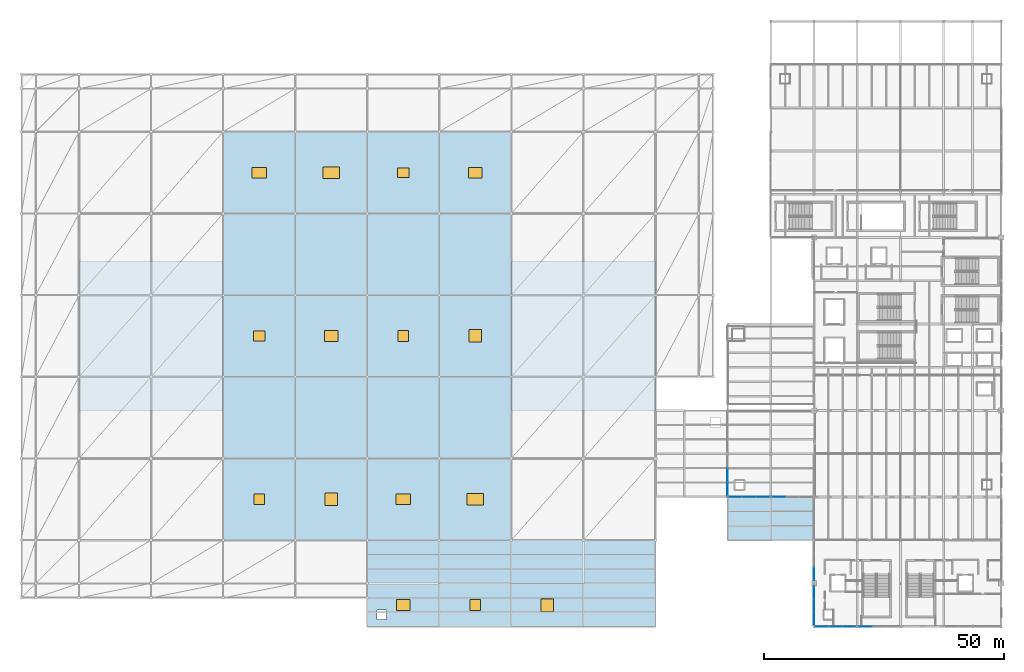
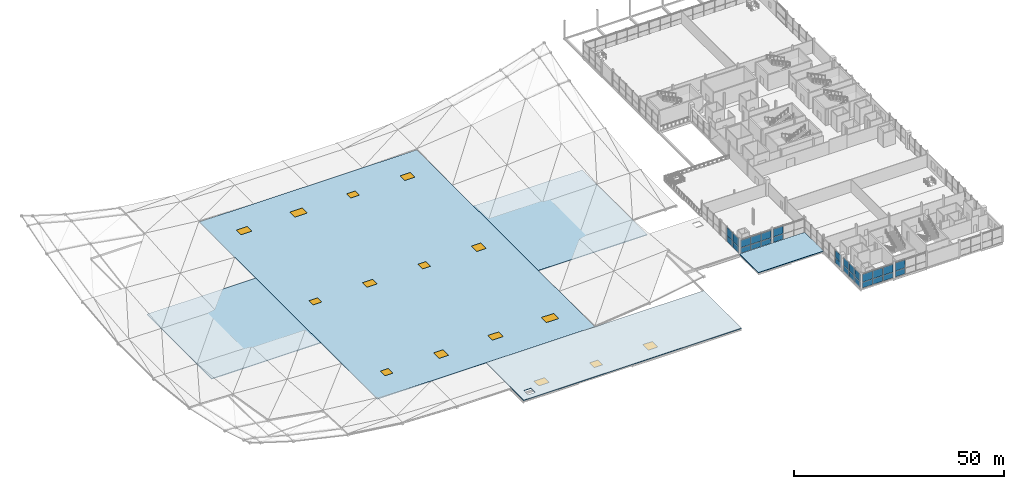
# One storey, part 40 of 69: 28 plates, 15 windows, 5 slabs, 15 openings, 7 elements without a shape of their own.
"""IFC4 building model written with IfcOpenShell, lengths in metres."""

from ifc_helpers import new_model, si_unit, direction, frame, origin, origin_2d, place, context, subcontext, project, spatial, polyline, rectangle, outline, extrude, material, layer, layer_set, type_object, element, fill, aggregate, save


model = new_model("IFC4")

# Units and contexts
model_context = context("Model", 3, precision=1e-05, world=origin(), true_north=direction((0.0, 1.0)))
body_context = subcontext(model_context, "Body", "Model", "MODEL_VIEW")
ifc_project = project(units=[si_unit("LENGTHUNIT", "METRE"), si_unit("AREAUNIT", "SQUARE_METRE"), si_unit("VOLUMEUNIT", "CUBIC_METRE"), si_unit("PLANEANGLEUNIT", "RADIAN"), si_unit("MASSUNIT", "GRAM", prefix="KILO")], contexts=[model_context])

# Site, building, storey
site_placement = place(None, origin())
site = spatial("IfcSite", under=ifc_project, at=site_placement, CompositionType="ELEMENT")
building_placement = place(site_placement, origin())
building = spatial("IfcBuilding", under=site, at=building_placement, Name="Qamarlyn Nura Convention Centre", CompositionType="ELEMENT")
storey_placement = place(building_placement, frame((0.0, 0.0, 15.60009765625)))
storey = spatial("IfcBuildingStorey", under=building, at=storey_placement, Name="L03", CompositionType="ELEMENT", Elevation=15.60009765625)

# Curtain wall, plates
ifc_material_1 = material(Name="Double-silver low-E insulated glass", Category="glass")
ifc_layer_1 = layer(ifc_material_1, 0.179931640625, Name="CW-UNIT-118")
ifc_layer_set_1 = layer_set([ifc_layer_1], Name="Double-silver low-E insulated glass")
curtain_wall_type_1 = type_object("IfcCurtainWallType", Name="CW-UNIT-118", PredefinedType="NOTDEFINED", material=ifc_layer_set_1)
curtain_wall_1_placement = place(storey_placement, origin())
curtain_wall_1 = element("IfcCurtainWall", 1, at=curtain_wall_1_placement, inside=storey, type_object=curtain_wall_type_1, Name="L03 unitised curtain wall STH-1-1", PredefinedType="NOTDEFINED")
ifc_layer_2 = layer(ifc_material_1, 0.028076171875, Name="CWP-VIS-28")
ifc_layer_set_2 = layer_set([ifc_layer_2], Name="Double-silver low-E insulated glass")
plate_type_1 = type_object("IfcPlateType", Name="CWP-VIS-28", PredefinedType="CURTAIN_PANEL", material=ifc_layer_set_2)
plate_1_placement = place(storey_placement, frame((160.352783203125, 0.0, 0.06005859375), z_axis=(0.0, 0.0, 1.0), x_axis=(-1.0, 0.0, 0.0)))
plate_1 = element("IfcPlate", 2, at=plate_1_placement, type_object=plate_type_1, Name="CW118 panel 1.1", PredefinedType="CURTAIN_PANEL", context=body_context, shape_type="SweptSolid", body=[
    extrude(rectangle(XDim=2.775390625, YDim=0.028076171875, at=origin_2d()), origin(), (0.0, 0.0, 1.0), 1.639892578125),
])
plate_2_placement = place(storey_placement, frame((160.352783203125, 0.0, 1.759765625), z_axis=(0.0, 0.0, 1.0), x_axis=(-1.0, 0.0, 0.0)))
plate_2 = element("IfcPlate", 3, at=plate_2_placement, type_object=plate_type_1, Name="CW118 panel 1.2", PredefinedType="CURTAIN_PANEL", context=body_context, shape_type="SweptSolid", body=[
    extrude(rectangle(XDim=2.775390625, YDim=0.028076171875, at=origin_2d()), origin(), (0.0, 0.0, 1.0), 2.299072265625),
])
plate_3_placement = place(storey_placement, frame((157.50244140625, 0.0, 0.06005859375), z_axis=(0.0, 0.0, 1.0), x_axis=(-1.0, 0.0, 0.0)))
plate_3 = element("IfcPlate", 4, at=plate_3_placement, type_object=plate_type_1, Name="CW118 panel 2.1", PredefinedType="CURTAIN_PANEL", context=body_context, shape_type="SweptSolid", body=[
    extrude(rectangle(XDim=2.805419921875, YDim=0.028076171875, at=origin_2d()), origin(), (0.0, 0.0, 1.0), 1.639892578125),
])
plate_4_placement = place(storey_placement, frame((157.50244140625, 0.0, 1.759765625), z_axis=(0.0, 0.0, 1.0), x_axis=(-1.0, 0.0, 0.0)))
plate_4 = element("IfcPlate", 5, at=plate_4_placement, type_object=plate_type_1, Name="CW118 panel 2.2", PredefinedType="CURTAIN_PANEL", context=body_context, shape_type="SweptSolid", body=[
    extrude(rectangle(XDim=2.805419921875, YDim=0.028076171875, at=origin_2d()), origin(), (0.0, 0.0, 1.0), 2.299072265625),
])
plate_5_placement = place(storey_placement, frame((154.652099609375, 0.0, 0.06005859375), z_axis=(0.0, 0.0, 1.0), x_axis=(-1.0, 0.0, 0.0)))
plate_5 = element("IfcPlate", 6, at=plate_5_placement, type_object=plate_type_1, Name="CW118 panel 3.1", PredefinedType="CURTAIN_PANEL", context=body_context, shape_type="SweptSolid", body=[
    extrude(rectangle(XDim=2.775390625, YDim=0.028076171875, at=origin_2d()), origin(), (0.0, 0.0, 1.0), 1.639892578125),
])
plate_6_placement = place(storey_placement, frame((154.652099609375, 0.0, 1.759765625), z_axis=(0.0, 0.0, 1.0), x_axis=(-1.0, 0.0, 0.0)))
plate_6 = element("IfcPlate", 7, at=plate_6_placement, type_object=plate_type_1, Name="CW118 panel 3.2", PredefinedType="CURTAIN_PANEL", context=body_context, shape_type="SweptSolid", body=[
    extrude(rectangle(XDim=2.775390625, YDim=0.028076171875, at=origin_2d()), origin(), (0.0, 0.0, 1.0), 2.299072265625),
])
aggregate(curtain_wall_1, [plate_1, plate_2, plate_3, plate_4, plate_5, plate_6])

ifc_layer_3 = layer(ifc_material_1, 0.179931640625, Name="CW-UNIT-119")
ifc_layer_set_3 = layer_set([ifc_layer_3], Name="Double-silver low-E insulated glass")
curtain_wall_type_2 = type_object("IfcCurtainWallType", Name="CW-UNIT-119", PredefinedType="NOTDEFINED", material=ifc_layer_set_3)
curtain_wall_2_placement = place(storey_placement, origin())
curtain_wall_2 = element("IfcCurtainWall", 8, at=curtain_wall_2_placement, inside=storey, type_object=curtain_wall_type_2, Name="L03 unitised curtain wall STH-2-1", PredefinedType="NOTDEFINED")
plate_7_placement = place(storey_placement, frame((163.652587890625, 0.0, 0.06982421875), z_axis=(0.0, 0.0, 1.0), x_axis=(-1.0, 0.0, 0.0)))
plate_7 = element("IfcPlate", 9, at=plate_7_placement, type_object=plate_type_1, Name="CW119 panel 3.1", PredefinedType="CURTAIN_PANEL", context=body_context, shape_type="SweptSolid", body=[
    extrude(rectangle(XDim=2.76611328125, YDim=0.028076171875, at=origin_2d()), origin(), (0.0, 0.0, 1.0), 1.695068359375),
])
plate_8_placement = place(storey_placement, frame((163.652587890625, 0.0, 1.8349609375), z_axis=(0.0, 0.0, 1.0), x_axis=(-1.0, 0.0, 0.0)))
plate_8 = element("IfcPlate", 10, at=plate_8_placement, type_object=plate_type_1, Name="CW119 panel 3.2", PredefinedType="CURTAIN_PANEL", context=body_context, shape_type="SweptSolid", body=[
    extrude(rectangle(XDim=2.76611328125, YDim=0.028076171875, at=origin_2d()), origin(), (0.0, 0.0, 1.0), 2.3798828125),
])
aggregate(curtain_wall_2, [plate_7, plate_8])

ifc_layer_4 = layer(ifc_material_1, 0.179931640625, Name="CW-UNIT-101")
ifc_layer_set_4 = layer_set([ifc_layer_4], Name="Double-silver low-E insulated glass")
curtain_wall_type_3 = type_object("IfcCurtainWallType", Name="CW-UNIT-101", PredefinedType="NOTDEFINED", material=ifc_layer_set_4)
curtain_wall_3_placement = place(storey_placement, origin())
curtain_wall_3 = element("IfcCurtainWall", 11, at=curtain_wall_3_placement, inside=storey, type_object=curtain_wall_type_3, Name="L03 unitised curtain wall FCW-0-1", PredefinedType="NOTDEFINED")
plate_9_placement = place(storey_placement, frame((153.0, 1.60302734375, 0.06982421875), z_axis=(0.0, 0.0, 1.0), x_axis=(0.0, 1.0, 0.0)))
plate_9 = element("IfcPlate", 12, at=plate_9_placement, type_object=plate_type_1, Name="CW101 panel 1.1", PredefinedType="CURTAIN_PANEL", context=body_context, shape_type="SweptSolid", body=[
    extrude(rectangle(XDim=2.640869140625, YDim=0.028076171875, at=origin_2d()), origin(), (0.0, 0.0, 1.0), 1.56396484375),
])
plate_10_placement = place(storey_placement, frame((153.0, 1.60302734375, 1.7041015625), z_axis=(0.0, 0.0, 1.0), x_axis=(0.0, 1.0, 0.0)))
plate_10 = element("IfcPlate", 13, at=plate_10_placement, type_object=plate_type_1, Name="CW101 panel 1.2", PredefinedType="CURTAIN_PANEL", context=body_context, shape_type="SweptSolid", body=[
    extrude(rectangle(XDim=2.640869140625, YDim=0.028076171875, at=origin_2d()), origin(), (0.0, 0.0, 1.0), 2.199951171875),
])
plate_11_placement = place(storey_placement, frame((153.0, 4.331298828125, 0.06982421875), z_axis=(0.0, 0.0, 1.0), x_axis=(0.0, 1.0, 0.0)))
plate_11 = element("IfcPlate", 14, at=plate_11_placement, type_object=plate_type_1, Name="CW101 panel 2.1", PredefinedType="CURTAIN_PANEL", context=body_context, shape_type="SweptSolid", body=[
    extrude(rectangle(XDim=2.67578125, YDim=0.028076171875, at=origin_2d()), origin(), (0.0, 0.0, 1.0), 1.56396484375),
])
plate_12_placement = place(storey_placement, frame((153.0, 4.331298828125, 1.7041015625), z_axis=(0.0, 0.0, 1.0), x_axis=(0.0, 1.0, 0.0)))
plate_12 = element("IfcPlate", 15, at=plate_12_placement, type_object=plate_type_1, Name="CW101 panel 2.2", PredefinedType="CURTAIN_PANEL", context=body_context, shape_type="SweptSolid", body=[
    extrude(rectangle(XDim=2.67578125, YDim=0.028076171875, at=origin_2d()), origin(), (0.0, 0.0, 1.0), 2.199951171875),
])
plate_13_placement = place(storey_placement, frame((153.0, 7.0595703125, 0.06982421875), z_axis=(0.0, 0.0, 1.0), x_axis=(0.0, 1.0, 0.0)))
plate_13 = element("IfcPlate", 16, at=plate_13_placement, type_object=plate_type_1, Name="CW101 panel 3.1", PredefinedType="CURTAIN_PANEL", context=body_context, shape_type="SweptSolid", body=[
    extrude(rectangle(XDim=2.640869140625, YDim=0.028076171875, at=origin_2d()), origin(), (0.0, 0.0, 1.0), 1.56396484375),
])
plate_14_placement = place(storey_placement, frame((153.0, 7.0595703125, 1.7041015625), z_axis=(0.0, 0.0, 1.0), x_axis=(0.0, 1.0, 0.0)))
plate_14 = element("IfcPlate", 17, at=plate_14_placement, type_object=plate_type_1, Name="CW101 panel 3.2", PredefinedType="CURTAIN_PANEL", context=body_context, shape_type="SweptSolid", body=[
    extrude(rectangle(XDim=2.640869140625, YDim=0.028076171875, at=origin_2d()), origin(), (0.0, 0.0, 1.0), 2.199951171875),
])
aggregate(curtain_wall_3, [plate_9, plate_10, plate_11, plate_12, plate_13, plate_14])

ifc_layer_5 = layer(ifc_material_1, 0.179931640625, Name="CW-UNIT-122")
ifc_layer_set_5 = layer_set([ifc_layer_5], Name="Double-silver low-E insulated glass")
curtain_wall_type_4 = type_object("IfcCurtainWallType", Name="CW-UNIT-122", PredefinedType="NOTDEFINED", material=ifc_layer_set_5)
curtain_wall_4_placement = place(storey_placement, origin())
curtain_wall_4 = element("IfcCurtainWall", 18, at=curtain_wall_4_placement, inside=storey, type_object=curtain_wall_type_4, Name="L03 unitised curtain wall FCW-9-1", PredefinedType="NOTDEFINED")
plate_15_placement = place(storey_placement, frame((153.0, 10.941162109375, 0.06494140625), z_axis=(0.0, 0.0, 1.0), x_axis=(0.0, 1.0, 0.0)))
plate_15 = element("IfcPlate", 19, at=plate_15_placement, type_object=plate_type_1, Name="CW122 panel 1.1", PredefinedType="CURTAIN_PANEL", context=body_context, shape_type="SweptSolid", body=[
    extrude(rectangle(XDim=2.652587890625, YDim=0.028076171875, at=origin_2d()), origin(), (0.0, 0.0, 1.0), 1.50341796875),
])
plate_16_placement = place(storey_placement, frame((153.0, 10.941162109375, 1.63330078125), z_axis=(0.0, 0.0, 1.0), x_axis=(0.0, 1.0, 0.0)))
plate_16 = element("IfcPlate", 20, at=plate_16_placement, type_object=plate_type_1, Name="CW122 panel 1.2", PredefinedType="CURTAIN_PANEL", context=body_context, shape_type="SweptSolid", body=[
    extrude(rectangle(XDim=2.652587890625, YDim=0.028076171875, at=origin_2d()), origin(), (0.0, 0.0, 1.0), 2.113525390625),
])
aggregate(curtain_wall_4, [plate_15, plate_16])

ifc_layer_6 = layer(ifc_material_1, 0.179931640625, Name="CW-UNIT-124")
ifc_layer_set_6 = layer_set([ifc_layer_6], Name="Double-silver low-E insulated glass")
curtain_wall_type_5 = type_object("IfcCurtainWallType", Name="CW-UNIT-124", PredefinedType="NOTDEFINED", material=ifc_layer_set_6)
curtain_wall_5_placement = place(storey_placement, origin())
curtain_wall_5 = element("IfcCurtainWall", 21, at=curtain_wall_5_placement, inside=storey, type_object=curtain_wall_type_5, Name="L03 unitised curtain wall WS-27-1", PredefinedType="NOTDEFINED")
plate_17_placement = place(storey_placement, frame((135.0, 28.6123046875, 0.06982421875), z_axis=(0.0, 0.0, 1.0), x_axis=(0.0, 1.0, 0.0)))
plate_17 = element("IfcPlate", 22, at=plate_17_placement, type_object=plate_type_1, Name="CW124 panel 1.1", PredefinedType="CURTAIN_PANEL", context=body_context, shape_type="SweptSolid", body=[
    extrude(rectangle(XDim=2.73486328125, YDim=0.028076171875, at=origin_2d()), origin(), (0.0, 0.0, 1.0), 1.7109375),
])
plate_18_placement = place(storey_placement, frame((135.0, 28.6123046875, 1.85107421875), z_axis=(0.0, 0.0, 1.0), x_axis=(0.0, 1.0, 0.0)))
plate_18 = element("IfcPlate", 23, at=plate_18_placement, type_object=plate_type_1, Name="CW124 panel 1.2", PredefinedType="CURTAIN_PANEL", context=body_context, shape_type="SweptSolid", body=[
    extrude(rectangle(XDim=2.73486328125, YDim=0.028076171875, at=origin_2d()), origin(), (0.0, 0.0, 1.0), 2.404052734375),
])
plate_19_placement = place(storey_placement, frame((135.0, 31.434814453125, 0.06982421875), z_axis=(0.0, 0.0, 1.0), x_axis=(0.0, 1.0, 0.0)))
plate_19 = element("IfcPlate", 24, at=plate_19_placement, type_object=plate_type_1, Name="CW124 panel 2.1", PredefinedType="CURTAIN_PANEL", context=body_context, shape_type="SweptSolid", body=[
    extrude(rectangle(XDim=2.769775390625, YDim=0.028076171875, at=origin_2d()), origin(), (0.0, 0.0, 1.0), 1.7109375),
])
plate_20_placement = place(storey_placement, frame((135.0, 31.434814453125, 1.85107421875), z_axis=(0.0, 0.0, 1.0), x_axis=(0.0, 1.0, 0.0)))
plate_20 = element("IfcPlate", 25, at=plate_20_placement, type_object=plate_type_1, Name="CW124 panel 2.2", PredefinedType="CURTAIN_PANEL", context=body_context, shape_type="SweptSolid", body=[
    extrude(rectangle(XDim=2.769775390625, YDim=0.028076171875, at=origin_2d()), origin(), (0.0, 0.0, 1.0), 2.404052734375),
])
aggregate(curtain_wall_5, [plate_17, plate_18, plate_19, plate_20])

ifc_layer_7 = layer(ifc_material_1, 0.179931640625, Name="CW-UNIT-126")
ifc_layer_set_7 = layer_set([ifc_layer_7], Name="Double-silver low-E insulated glass")
curtain_wall_type_6 = type_object("IfcCurtainWallType", Name="CW-UNIT-126", PredefinedType="NOTDEFINED", material=ifc_layer_set_7)
curtain_wall_6_placement = place(storey_placement, origin())
curtain_wall_6 = element("IfcCurtainWall", 26, at=curtain_wall_6_placement, inside=storey, type_object=curtain_wall_type_6, Name="L03 unitised curtain wall WSS-L03-1", PredefinedType="NOTDEFINED")
plate_21_placement = place(storey_placement, frame((145.63134765625, 27.0, 0.06005859375), z_axis=(0.0, 0.0, 1.0), x_axis=(-1.0, 0.0, 0.0)))
plate_21 = element("IfcPlate", 27, at=plate_21_placement, type_object=plate_type_1, Name="CW126 panel 3.1", PredefinedType="CURTAIN_PANEL", context=body_context, shape_type="SweptSolid", body=[
    extrude(rectangle(XDim=2.79248046875, YDim=0.028076171875, at=origin_2d()), origin(), (0.0, 0.0, 1.0), 1.595947265625),
])
plate_22_placement = place(storey_placement, frame((145.63134765625, 27.0, 1.7158203125), z_axis=(0.0, 0.0, 1.0), x_axis=(-1.0, 0.0, 0.0)))
plate_22 = element("IfcPlate", 28, at=plate_22_placement, type_object=plate_type_1, Name="CW126 panel 3.2", PredefinedType="CURTAIN_PANEL", context=body_context, shape_type="SweptSolid", body=[
    extrude(rectangle(XDim=2.79248046875, YDim=0.028076171875, at=origin_2d()), origin(), (0.0, 0.0, 1.0), 2.238037109375),
])
aggregate(curtain_wall_6, [plate_21, plate_22])

ifc_layer_8 = layer(ifc_material_1, 0.179931640625, Name="CW-UNIT-127")
ifc_layer_set_8 = layer_set([ifc_layer_8], Name="Double-silver low-E insulated glass")
curtain_wall_type_7 = type_object("IfcCurtainWallType", Name="CW-UNIT-127", PredefinedType="NOTDEFINED", material=ifc_layer_set_8)
curtain_wall_7_placement = place(storey_placement, origin())
curtain_wall_7 = element("IfcCurtainWall", 29, at=curtain_wall_7_placement, inside=storey, type_object=curtain_wall_type_7, Name="L03 unitised curtain wall WSS-L03-2", PredefinedType="NOTDEFINED")
ifc_layer_9 = layer(ifc_material_1, 0.031982421875, Name="CWP-VIS-32")
ifc_layer_set_9 = layer_set([ifc_layer_9], Name="Double-silver low-E insulated glass")
plate_type_2 = type_object("IfcPlateType", Name="CWP-VIS-32", PredefinedType="CURTAIN_PANEL", material=ifc_layer_set_9)
plate_23_placement = place(storey_placement, frame((142.36572265625, 27.0, 0.06982421875), z_axis=(0.0, 0.0, 1.0), x_axis=(-1.0, 0.0, 0.0)))
plate_23 = element("IfcPlate", 30, at=plate_23_placement, type_object=plate_type_2, Name="CW127 panel 1.1", PredefinedType="CURTAIN_PANEL", context=body_context, shape_type="SweptSolid", body=[
    extrude(rectangle(XDim=2.7783203125, YDim=0.031982421875, at=origin_2d()), origin(), (0.0, 0.0, 1.0), 1.550048828125),
])
plate_24_placement = place(storey_placement, frame((142.36572265625, 27.0, 1.68994140625), z_axis=(0.0, 0.0, 1.0), x_axis=(-1.0, 0.0, 0.0)))
plate_24 = element("IfcPlate", 31, at=plate_24_placement, type_object=plate_type_2, Name="CW127 panel 1.2", PredefinedType="CURTAIN_PANEL", context=body_context, shape_type="SweptSolid", body=[
    extrude(rectangle(XDim=2.7783203125, YDim=0.031982421875, at=origin_2d()), origin(), (0.0, 0.0, 1.0), 2.180908203125),
])
plate_25_placement = place(storey_placement, frame((139.5, 27.0, 0.06982421875), z_axis=(0.0, 0.0, 1.0), x_axis=(-1.0, 0.0, 0.0)))
plate_25 = element("IfcPlate", 32, at=plate_25_placement, type_object=plate_type_2, Name="CW127 panel 2.1", PredefinedType="CURTAIN_PANEL", context=body_context, shape_type="SweptSolid", body=[
    extrude(rectangle(XDim=2.813232421875, YDim=0.031982421875, at=origin_2d()), origin(), (0.0, 0.0, 1.0), 1.550048828125),
])
plate_26_placement = place(storey_placement, frame((139.5, 27.0, 1.68994140625), z_axis=(0.0, 0.0, 1.0), x_axis=(-1.0, 0.0, 0.0)))
plate_26 = element("IfcPlate", 33, at=plate_26_placement, type_object=plate_type_2, Name="CW127 panel 2.2", PredefinedType="CURTAIN_PANEL", context=body_context, shape_type="SweptSolid", body=[
    extrude(rectangle(XDim=2.813232421875, YDim=0.031982421875, at=origin_2d()), origin(), (0.0, 0.0, 1.0), 2.180908203125),
])
plate_27_placement = place(storey_placement, frame((136.63427734375, 27.0, 0.06982421875), z_axis=(0.0, 0.0, 1.0), x_axis=(-1.0, 0.0, 0.0)))
plate_27 = element("IfcPlate", 34, at=plate_27_placement, type_object=plate_type_2, Name="CW127 panel 3.1", PredefinedType="CURTAIN_PANEL", context=body_context, shape_type="SweptSolid", body=[
    extrude(rectangle(XDim=2.7783203125, YDim=0.031982421875, at=origin_2d()), origin(), (0.0, 0.0, 1.0), 1.550048828125),
])
plate_28_placement = place(storey_placement, frame((136.63427734375, 27.0, 1.68994140625), z_axis=(0.0, 0.0, 1.0), x_axis=(-1.0, 0.0, 0.0)))
plate_28 = element("IfcPlate", 35, at=plate_28_placement, type_object=plate_type_2, Name="CW127 panel 3.2", PredefinedType="CURTAIN_PANEL", context=body_context, shape_type="SweptSolid", body=[
    extrude(rectangle(XDim=2.7783203125, YDim=0.031982421875, at=origin_2d()), origin(), (0.0, 0.0, 1.0), 2.180908203125),
])
aggregate(curtain_wall_7, [plate_23, plate_24, plate_25, plate_26, plate_27, plate_28])

# Slab, openings, windows
ifc_material_2 = material(Name="Concrete C40/50", Category="concrete")
ifc_layer_10 = layer(ifc_material_2, 0.2099609375, Name="RF-EXH")
ifc_layer_set_10 = layer_set([ifc_layer_10], Name="Concrete C40/50")
slab_type_1 = type_object("IfcSlabType", Name="RF-EXH", PredefinedType="ROOF", material=ifc_layer_set_10)
slab_1_placement = place(storey_placement, frame((0.0, 0.0, -0.210205078125)))
slab_1 = element("IfcSlab", 36, at=slab_1_placement, inside=storey, type_object=slab_type_1, Name="L03 flat roof deck R-L03-EX1", PredefinedType="ROOF", context=body_context, shape_type="SweptSolid", body=[
    extrude(outline(polyline([(90.0, 18.0), (90.0, 103.0), (30.0, 103.0), (30.0, 18.0), (90.0, 18.0)])), origin(), (0.0, 0.0, 1.0), 0.210205078125),
])
opening_1_placement = place(slab_1_placement, frame((37.5, 26.5, 0.0)))
opening_1 = element("IfcOpeningElement", 37, at=opening_1_placement, cuts=slab_1, Name="Opening SK01", PredefinedType="OPENING", context=body_context, shape_type="SweptSolid", body=[
    extrude(rectangle(XDim=2.199951171875, YDim=2.199951171875, at=origin_2d()), frame((0.0, 0.0, -0.010009765625)), (0.0, 0.0, 1.0), 0.230224609375),
])
opening_2_placement = place(slab_1_placement, frame((52.5, 26.5, 0.0)))
opening_2 = element("IfcOpeningElement", 38, at=opening_2_placement, cuts=slab_1, Name="Opening SK02", PredefinedType="OPENING", context=body_context, shape_type="SweptSolid", body=[
    extrude(rectangle(XDim=2.60009765625, YDim=2.60009765625, at=origin_2d()), frame((0.0, 0.0, -0.010009765625)), (0.0, 0.0, 1.0), 0.230224609375),
])
opening_3_placement = place(slab_1_placement, frame((67.5, 26.5, 0.0)))
opening_3 = element("IfcOpeningElement", 39, at=opening_3_placement, cuts=slab_1, Name="Opening SK03", PredefinedType="OPENING", context=body_context, shape_type="SweptSolid", body=[
    extrude(rectangle(XDim=3.0, YDim=2.199951171875, at=origin_2d()), frame((0.0, 0.0, -0.010009765625)), (0.0, 0.0, 1.0), 0.230224609375),
])
opening_4_placement = place(slab_1_placement, frame((82.5, 26.5, 0.0)))
opening_4 = element("IfcOpeningElement", 40, at=opening_4_placement, cuts=slab_1, Name="Opening SK04", PredefinedType="OPENING", context=body_context, shape_type="SweptSolid", body=[
    extrude(rectangle(XDim=3.39990234375, YDim=2.39990234375, at=origin_2d()), frame((0.0, 0.0, -0.010009765625)), (0.0, 0.0, 1.0), 0.230224609375),
])
opening_5_placement = place(slab_1_placement, frame((37.5, 60.5, 0.0)))
opening_5 = element("IfcOpeningElement", 41, at=opening_5_placement, cuts=slab_1, Name="Opening SK05", PredefinedType="OPENING", context=body_context, shape_type="SweptSolid", body=[
    extrude(rectangle(XDim=2.39990234375, YDim=2.0, at=origin_2d()), frame((0.0, 0.0, -0.010009765625)), (0.0, 0.0, 1.0), 0.230224609375),
])
opening_6_placement = place(slab_1_placement, frame((52.5, 60.5, 0.0)))
opening_6 = element("IfcOpeningElement", 42, at=opening_6_placement, cuts=slab_1, Name="Opening SK06", PredefinedType="OPENING", context=body_context, shape_type="SweptSolid", body=[
    extrude(rectangle(XDim=2.800048828125, YDim=2.199951171875, at=origin_2d()), frame((0.0, 0.0, -0.010009765625)), (0.0, 0.0, 1.0), 0.230224609375),
])
opening_7_placement = place(slab_1_placement, frame((67.5, 60.5, 0.0)))
opening_7 = element("IfcOpeningElement", 43, at=opening_7_placement, cuts=slab_1, Name="Opening SK01", PredefinedType="OPENING", context=body_context, shape_type="SweptSolid", body=[
    extrude(rectangle(XDim=2.199951171875, YDim=2.199951171875, at=origin_2d()), frame((0.0, 0.0, -0.010009765625)), (0.0, 0.0, 1.0), 0.230224609375),
])
opening_8_placement = place(slab_1_placement, frame((82.5, 60.5, 0.0)))
opening_8 = element("IfcOpeningElement", 44, at=opening_8_placement, cuts=slab_1, Name="Opening SK02", PredefinedType="OPENING", context=body_context, shape_type="SweptSolid", body=[
    extrude(rectangle(XDim=2.60009765625, YDim=2.60009765625, at=origin_2d()), frame((0.0, 0.0, -0.010009765625)), (0.0, 0.0, 1.0), 0.230224609375),
])
opening_9_placement = place(slab_1_placement, frame((37.5, 94.5, 0.0)))
opening_9 = element("IfcOpeningElement", 45, at=opening_9_placement, cuts=slab_1, Name="Opening SK03", PredefinedType="OPENING", context=body_context, shape_type="SweptSolid", body=[
    extrude(rectangle(XDim=3.0, YDim=2.199951171875, at=origin_2d()), frame((0.0, 0.0, -0.010009765625)), (0.0, 0.0, 1.0), 0.230224609375),
])
opening_10_placement = place(slab_1_placement, frame((52.5, 94.5, 0.0)))
opening_10 = element("IfcOpeningElement", 46, at=opening_10_placement, cuts=slab_1, Name="Opening SK04", PredefinedType="OPENING", context=body_context, shape_type="SweptSolid", body=[
    extrude(rectangle(XDim=3.39990234375, YDim=2.39990234375, at=origin_2d()), frame((0.0, 0.0, -0.010009765625)), (0.0, 0.0, 1.0), 0.230224609375),
])
opening_11_placement = place(slab_1_placement, frame((67.5, 94.5, 0.0)))
opening_11 = element("IfcOpeningElement", 47, at=opening_11_placement, cuts=slab_1, Name="Opening SK05", PredefinedType="OPENING", context=body_context, shape_type="SweptSolid", body=[
    extrude(rectangle(XDim=2.39990234375, YDim=2.0, at=origin_2d()), frame((0.0, 0.0, -0.010009765625)), (0.0, 0.0, 1.0), 0.230224609375),
])
opening_12_placement = place(slab_1_placement, frame((82.5, 94.5, 0.0)))
opening_12 = element("IfcOpeningElement", 48, at=opening_12_placement, cuts=slab_1, Name="Opening SK06", PredefinedType="OPENING", context=body_context, shape_type="SweptSolid", body=[
    extrude(rectangle(XDim=2.800048828125, YDim=2.199951171875, at=origin_2d()), frame((0.0, 0.0, -0.010009765625)), (0.0, 0.0, 1.0), 0.230224609375),
])
ifc_material_3 = material(Name="Laminated solar-control skylight glass", Category="glass")
window_type_1 = type_object("IfcWindowType", Name="SKY-MOD-01", PartitioningType="SINGLE_PANEL", PredefinedType="SKYLIGHT", material=ifc_material_3)
window_1_placement = place(opening_1_placement, frame((0.0, 0.0, 0.16015625)))
window_1 = element("IfcWindow", 49, at=window_1_placement, inside=storey, type_object=window_type_1, Name="L03 modular roof skylight 01", OverallHeight=2.199951171875, OverallWidth=2.199951171875, PartitioningType="SINGLE_PANEL", PredefinedType="SKYLIGHT", context=body_context, shape_type="SweptSolid", body=[
    extrude(rectangle(XDim=2.199951171875, YDim=2.199951171875, at=origin_2d()), origin(), (0.0, 0.0, 1.0), 0.050048828125),
])
fill(opening_1, window_1)
window_2_placement = place(opening_7_placement, frame((0.0, 0.0, 0.16015625)))
window_2 = element("IfcWindow", 50, at=window_2_placement, inside=storey, type_object=window_type_1, Name="L03 modular roof skylight 07", OverallHeight=2.199951171875, OverallWidth=2.199951171875, PartitioningType="SINGLE_PANEL", PredefinedType="SKYLIGHT", context=body_context, shape_type="SweptSolid", body=[
    extrude(rectangle(XDim=2.199951171875, YDim=2.199951171875, at=origin_2d()), origin(), (0.0, 0.0, 1.0), 0.050048828125),
])
fill(opening_7, window_2)
window_type_2 = type_object("IfcWindowType", Name="SKY-MOD-02", PartitioningType="SINGLE_PANEL", PredefinedType="SKYLIGHT", material=ifc_material_3)
window_3_placement = place(opening_2_placement, frame((0.0, 0.0, 0.16015625)))
window_3 = element("IfcWindow", 51, at=window_3_placement, inside=storey, type_object=window_type_2, Name="L03 modular roof skylight 02", OverallHeight=2.60009765625, OverallWidth=2.60009765625, PartitioningType="SINGLE_PANEL", PredefinedType="SKYLIGHT", context=body_context, shape_type="SweptSolid", body=[
    extrude(rectangle(XDim=2.60009765625, YDim=2.60009765625, at=origin_2d()), origin(), (0.0, 0.0, 1.0), 0.050048828125),
])
fill(opening_2, window_3)
window_4_placement = place(opening_8_placement, frame((0.0, 0.0, 0.16015625)))
window_4 = element("IfcWindow", 52, at=window_4_placement, inside=storey, type_object=window_type_2, Name="L03 modular roof skylight 08", OverallHeight=2.60009765625, OverallWidth=2.60009765625, PartitioningType="SINGLE_PANEL", PredefinedType="SKYLIGHT", context=body_context, shape_type="SweptSolid", body=[
    extrude(rectangle(XDim=2.60009765625, YDim=2.60009765625, at=origin_2d()), origin(), (0.0, 0.0, 1.0), 0.050048828125),
])
fill(opening_8, window_4)
window_type_3 = type_object("IfcWindowType", Name="SKY-MOD-03", PartitioningType="SINGLE_PANEL", PredefinedType="SKYLIGHT", material=ifc_material_3)
window_5_placement = place(opening_3_placement, frame((0.0, 0.0, 0.16015625)))
window_5 = element("IfcWindow", 53, at=window_5_placement, inside=storey, type_object=window_type_3, Name="L03 modular roof skylight 03", OverallHeight=2.199951171875, OverallWidth=3.0, PartitioningType="SINGLE_PANEL", PredefinedType="SKYLIGHT", context=body_context, shape_type="SweptSolid", body=[
    extrude(rectangle(XDim=3.0, YDim=2.199951171875, at=origin_2d()), origin(), (0.0, 0.0, 1.0), 0.050048828125),
])
fill(opening_3, window_5)
window_6_placement = place(opening_9_placement, frame((0.0, 0.0, 0.16015625)))
window_6 = element("IfcWindow", 54, at=window_6_placement, inside=storey, type_object=window_type_3, Name="L03 modular roof skylight 09", OverallHeight=2.199951171875, OverallWidth=3.0, PartitioningType="SINGLE_PANEL", PredefinedType="SKYLIGHT", context=body_context, shape_type="SweptSolid", body=[
    extrude(rectangle(XDim=3.0, YDim=2.199951171875, at=origin_2d()), origin(), (0.0, 0.0, 1.0), 0.050048828125),
])
fill(opening_9, window_6)
window_type_4 = type_object("IfcWindowType", Name="SKY-MOD-04", PartitioningType="SINGLE_PANEL", PredefinedType="SKYLIGHT", material=ifc_material_3)
window_7_placement = place(opening_4_placement, frame((0.0, 0.0, 0.16015625)))
window_7 = element("IfcWindow", 55, at=window_7_placement, inside=storey, type_object=window_type_4, Name="L03 modular roof skylight 04", OverallHeight=2.39990234375, OverallWidth=3.39990234375, PartitioningType="SINGLE_PANEL", PredefinedType="SKYLIGHT", context=body_context, shape_type="SweptSolid", body=[
    extrude(rectangle(XDim=3.39990234375, YDim=2.39990234375, at=origin_2d()), origin(), (0.0, 0.0, 1.0), 0.050048828125),
])
fill(opening_4, window_7)
window_8_placement = place(opening_10_placement, frame((0.0, 0.0, 0.16015625)))
window_8 = element("IfcWindow", 56, at=window_8_placement, inside=storey, type_object=window_type_4, Name="L03 modular roof skylight 10", OverallHeight=2.39990234375, OverallWidth=3.39990234375, PartitioningType="SINGLE_PANEL", PredefinedType="SKYLIGHT", context=body_context, shape_type="SweptSolid", body=[
    extrude(rectangle(XDim=3.39990234375, YDim=2.39990234375, at=origin_2d()), origin(), (0.0, 0.0, 1.0), 0.050048828125),
])
fill(opening_10, window_8)
window_type_5 = type_object("IfcWindowType", Name="SKY-MOD-05", PartitioningType="SINGLE_PANEL", PredefinedType="SKYLIGHT", material=ifc_material_3)
window_9_placement = place(opening_5_placement, frame((0.0, 0.0, 0.16015625)))
window_9 = element("IfcWindow", 57, at=window_9_placement, inside=storey, type_object=window_type_5, Name="L03 modular roof skylight 05", OverallHeight=2.0, OverallWidth=2.39990234375, PartitioningType="SINGLE_PANEL", PredefinedType="SKYLIGHT", context=body_context, shape_type="SweptSolid", body=[
    extrude(rectangle(XDim=2.39990234375, YDim=2.0, at=origin_2d()), origin(), (0.0, 0.0, 1.0), 0.050048828125),
])
fill(opening_5, window_9)
window_10_placement = place(opening_11_placement, frame((0.0, 0.0, 0.16015625)))
window_10 = element("IfcWindow", 58, at=window_10_placement, inside=storey, type_object=window_type_5, Name="L03 modular roof skylight 11", OverallHeight=2.0, OverallWidth=2.39990234375, PartitioningType="SINGLE_PANEL", PredefinedType="SKYLIGHT", context=body_context, shape_type="SweptSolid", body=[
    extrude(rectangle(XDim=2.39990234375, YDim=2.0, at=origin_2d()), origin(), (0.0, 0.0, 1.0), 0.050048828125),
])
fill(opening_11, window_10)
window_type_6 = type_object("IfcWindowType", Name="SKY-MOD-06", PartitioningType="SINGLE_PANEL", PredefinedType="SKYLIGHT", material=ifc_material_3)
window_11_placement = place(opening_6_placement, frame((0.0, 0.0, 0.16015625)))
window_11 = element("IfcWindow", 59, at=window_11_placement, inside=storey, type_object=window_type_6, Name="L03 modular roof skylight 06", OverallHeight=2.199951171875, OverallWidth=2.800048828125, PartitioningType="SINGLE_PANEL", PredefinedType="SKYLIGHT", context=body_context, shape_type="SweptSolid", body=[
    extrude(rectangle(XDim=2.800048828125, YDim=2.199951171875, at=origin_2d()), origin(), (0.0, 0.0, 1.0), 0.050048828125),
])
fill(opening_6, window_11)
window_12_placement = place(opening_12_placement, frame((0.0, 0.0, 0.16015625)))
window_12 = element("IfcWindow", 60, at=window_12_placement, inside=storey, type_object=window_type_6, Name="L03 modular roof skylight 12", OverallHeight=2.199951171875, OverallWidth=2.800048828125, PartitioningType="SINGLE_PANEL", PredefinedType="SKYLIGHT", context=body_context, shape_type="SweptSolid", body=[
    extrude(rectangle(XDim=2.800048828125, YDim=2.199951171875, at=origin_2d()), origin(), (0.0, 0.0, 1.0), 0.050048828125),
])
fill(opening_12, window_12)

# Slabs
slab_2_placement = place(storey_placement, frame((0.0, 0.0, -0.210205078125)))
element("IfcSlab", 61, at=slab_2_placement, inside=storey, type_object=slab_type_1, Name="L03 flat roof deck R-L03-EX2", PredefinedType="ROOF", context=body_context, shape_type="SweptSolid", body=[
    extrude(outline(polyline([(30.0, 45.0), (30.0, 76.0), (0.0, 76.0), (0.0, 45.0), (30.0, 45.0)])), origin(), (0.0, 0.0, 1.0), 0.210205078125),
])
slab_3_placement = place(storey_placement, frame((0.0, 0.0, -0.210205078125)))
element("IfcSlab", 62, at=slab_3_placement, inside=storey, type_object=slab_type_1, Name="L03 flat roof deck R-L03-EX3", PredefinedType="ROOF", context=body_context, shape_type="SweptSolid", body=[
    extrude(outline(polyline([(120.0, 45.0), (120.0, 76.0), (90.0, 76.0), (90.0, 45.0), (120.0, 45.0)])), origin(), (0.0, 0.0, 1.0), 0.210205078125),
])

# Slab, openings, windows
ifc_layer_11 = layer(ifc_material_2, 0.175048828125, Name="RF-L03")
ifc_layer_set_11 = layer_set([ifc_layer_11], Name="Concrete C40/50")
slab_type_2 = type_object("IfcSlabType", Name="RF-L03", PredefinedType="ROOF", material=ifc_layer_set_11)
slab_4_placement = place(storey_placement, frame((0.0, 0.0, -0.175048828125)))
slab_4 = element("IfcSlab", 63, at=slab_4_placement, inside=storey, type_object=slab_type_2, Name="L03 flat roof deck R-L03-SF1", PredefinedType="ROOF", context=body_context, shape_type="SweptSolid", body=[
    extrude(outline(polyline([(60.0, 0.0), (60.0, 18.0), (120.0, 18.0), (120.0, 0.0), (60.0, 0.0)]), holes=[polyline([(64.0, 3.5), (62.0, 3.5), (62.0, 1.5), (64.0, 1.5), (64.0, 3.5)])]), origin(), (0.0, 0.0, 1.0), 0.175048828125),
])
opening_13_placement = place(slab_4_placement, frame((67.5, 4.5, 0.0)))
opening_13 = element("IfcOpeningElement", 64, at=opening_13_placement, cuts=slab_4, Name="Opening SK06", PredefinedType="OPENING", context=body_context, shape_type="SweptSolid", body=[
    extrude(rectangle(XDim=2.800048828125, YDim=2.199951171875, at=origin_2d()), frame((0.0, 0.0, -0.010009765625)), (0.0, 0.0, 1.0), 0.195068359375),
])
opening_14_placement = place(slab_4_placement, frame((82.5, 4.5, 0.0)))
opening_14 = element("IfcOpeningElement", 65, at=opening_14_placement, cuts=slab_4, Name="Opening SK01", PredefinedType="OPENING", context=body_context, shape_type="SweptSolid", body=[
    extrude(rectangle(XDim=2.199951171875, YDim=2.199951171875, at=origin_2d()), frame((0.0, 0.0, -0.010009765625)), (0.0, 0.0, 1.0), 0.195068359375),
])
opening_15_placement = place(slab_4_placement, frame((97.5, 4.5, 0.0)))
opening_15 = element("IfcOpeningElement", 66, at=opening_15_placement, cuts=slab_4, Name="Opening SK02", PredefinedType="OPENING", context=body_context, shape_type="SweptSolid", body=[
    extrude(rectangle(XDim=2.60009765625, YDim=2.60009765625, at=origin_2d()), frame((0.0, 0.0, -0.010009765625)), (0.0, 0.0, 1.0), 0.195068359375),
])
window_13_placement = place(opening_14_placement, frame((0.0, 0.0, 0.125)))
window_13 = element("IfcWindow", 67, at=window_13_placement, inside=storey, type_object=window_type_1, Name="L03 modular roof skylight 19", OverallHeight=2.199951171875, OverallWidth=2.199951171875, PartitioningType="SINGLE_PANEL", PredefinedType="SKYLIGHT", context=body_context, shape_type="SweptSolid", body=[
    extrude(rectangle(XDim=2.199951171875, YDim=2.199951171875, at=origin_2d()), origin(), (0.0, 0.0, 1.0), 0.050048828125),
])
fill(opening_14, window_13)
window_14_placement = place(opening_15_placement, frame((0.0, 0.0, 0.125)))
window_14 = element("IfcWindow", 68, at=window_14_placement, inside=storey, type_object=window_type_2, Name="L03 modular roof skylight 20", OverallHeight=2.60009765625, OverallWidth=2.60009765625, PartitioningType="SINGLE_PANEL", PredefinedType="SKYLIGHT", context=body_context, shape_type="SweptSolid", body=[
    extrude(rectangle(XDim=2.60009765625, YDim=2.60009765625, at=origin_2d()), origin(), (0.0, 0.0, 1.0), 0.050048828125),
])
fill(opening_15, window_14)
window_15_placement = place(opening_13_placement, frame((0.0, 0.0, 0.125)))
window_15 = element("IfcWindow", 69, at=window_15_placement, inside=storey, type_object=window_type_6, Name="L03 modular roof skylight 18", OverallHeight=2.199951171875, OverallWidth=2.800048828125, PartitioningType="SINGLE_PANEL", PredefinedType="SKYLIGHT", context=body_context, shape_type="SweptSolid", body=[
    extrude(rectangle(XDim=2.800048828125, YDim=2.199951171875, at=origin_2d()), origin(), (0.0, 0.0, 1.0), 0.050048828125),
])
fill(opening_13, window_15)

# Slab
slab_5_placement = place(storey_placement, frame((0.0, 0.0, -0.175048828125)))
element("IfcSlab", 70, at=slab_5_placement, inside=storey, type_object=slab_type_2, Name="L03 flat roof deck R-L03-BL1", PredefinedType="ROOF", context=body_context, shape_type="SweptSolid", body=[
    extrude(outline(polyline([(153.0, 18.0), (153.0, 27.0), (135.0, 27.0), (135.0, 18.0), (153.0, 18.0)])), origin(), (0.0, 0.0, 1.0), 0.175048828125),
])

save(model, "model.ifc")
